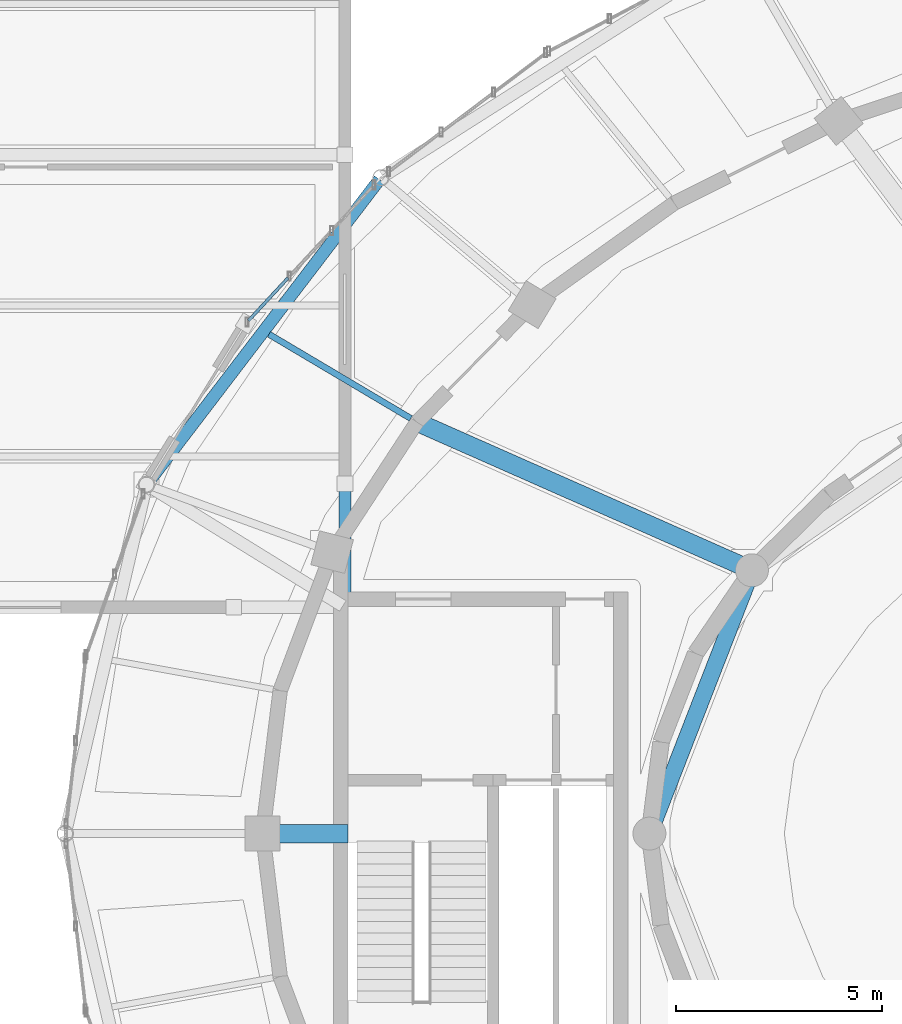
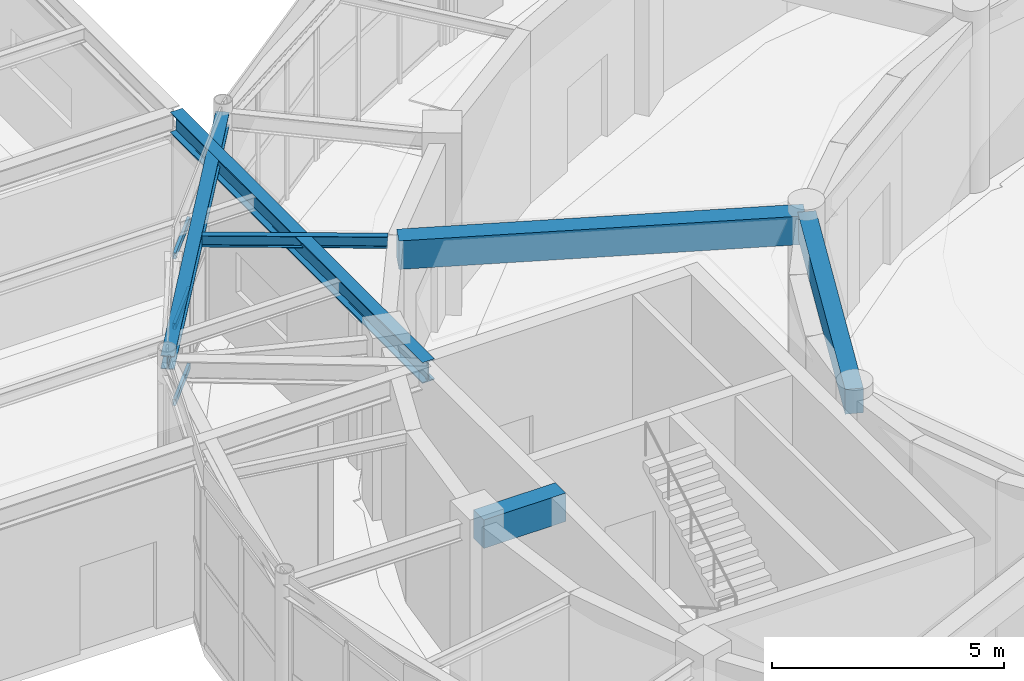
# One storey, part 34 of 108: 6 beams, 3 members, 1 element without a shape of its own.
"""IFC4 building model written with IfcOpenShell, lengths in metres."""

from ifc_helpers import new_model, si_unit, direction, frame, origin, origin_2d, place, context, subcontext, project, spatial, rectangle, hollow_rectangle, i_section, extrude, material, material_profile, profile_set, type_object, element, aggregate, save


model = new_model("IFC4")

# Units and contexts
model_context = context("Model", 3, precision=1e-05, world=origin(), true_north=direction((0.0, 1.0)))
body_context = subcontext(model_context, "Body", "Model", "MODEL_VIEW")
ifc_project = project(units=[si_unit("LENGTHUNIT", "METRE"), si_unit("AREAUNIT", "SQUARE_METRE"), si_unit("VOLUMEUNIT", "CUBIC_METRE"), si_unit("PLANEANGLEUNIT", "RADIAN"), si_unit("MASSUNIT", "GRAM", prefix="KILO")], contexts=[model_context])

# Site, building, storey
site_placement = place(None, origin())
site = spatial("IfcSite", under=ifc_project, at=site_placement, CompositionType="ELEMENT")
building_placement = place(site_placement, origin())
building = spatial("IfcBuilding", under=site, at=building_placement, Name="Tarnveldt Headland Concert Hall", CompositionType="ELEMENT")
storey_placement = place(building_placement, origin())
storey = spatial("IfcBuildingStorey", under=building, at=storey_placement, Name="L00", CompositionType="ELEMENT", Elevation=0.0)

# Beams
ifc_material_1 = material(Name="Concrete C40/50", Category="concrete")
ifc_material_profile_1 = material_profile(ifc_material_1, rectangle(XDim=0.39990234375, YDim=0.64990234375, at=origin_2d()), Name="RC 400x650", Category="concrete")
ifc_profile_set_1 = profile_set([ifc_material_profile_1], Name="Concrete C40/50")
beam_type_1 = type_object("IfcBeamType", Name="CB-400x650", PredefinedType="BEAM", material=ifc_profile_set_1)
beam_1_placement = place(storey_placement, frame((67.3701171875, 60.843994140625, 4.195068359375), z_axis=(-0.362816377746, -0.931860652694, 0.0), x_axis=(0.931860652694, -0.362816377746, 0.0)))
element("IfcBeam", 1, at=beam_1_placement, inside=storey, type_object=beam_type_1, Name="Framing beam L00-411", PredefinedType="BEAM", context=body_context, shape_type="SweptSolid", body=[
    extrude(rectangle(XDim=0.39990234375, YDim=0.64990234375, at=origin_2d()), origin(), (0.0, 0.0, 1.0), 6.747802734375),
])
ifc_material_profile_2 = material_profile(ifc_material_1, rectangle(XDim=0.449951171875, YDim=0.75, at=origin_2d()), Name="RC 450x750", Category="concrete")
ifc_profile_set_2 = profile_set([ifc_material_profile_2], Name="Concrete C40/50")
beam_type_2 = type_object("IfcBeamType", Name="CB-450x750", PredefinedType="BEAM", material=ifc_profile_set_2)
beam_2_placement = place(storey_placement, frame((67.355224609375, 60.916259765625, 4.14501953125), z_axis=(-0.91456211397, 0.404445471839, 0.0), x_axis=(-0.404445471839, -0.91456211397, 0.0)))
element("IfcBeam", 2, at=beam_2_placement, inside=storey, type_object=beam_type_2, Name="Framing beam L00-410", PredefinedType="BEAM", context=body_context, shape_type="SweptSolid", body=[
    extrude(rectangle(XDim=0.449951171875, YDim=0.75, at=origin_2d()), origin(), (0.0, 0.0, 1.0), 8.821044921875),
])
beam_3_placement = place(storey_placement, frame((57.580078125, 54.5, 4.14501953125), z_axis=(-1.0, 0.0, 0.0), x_axis=(0.0, -1.0, 0.0)))
element("IfcBeam", 3, at=beam_3_placement, inside=storey, type_object=beam_type_2, Name="Framing beam L00-412", PredefinedType="BEAM", context=body_context, shape_type="SweptSolid", body=[
    extrude(rectangle(XDim=0.449951171875, YDim=0.75, at=origin_2d()), origin(), (0.0, 0.0, 1.0), 2.0400390625),
])
ifc_material_2 = material(Name="Steel S355", Category="steel")
ifc_material_profile_3 = material_profile(ifc_material_2, i_section(OverallWidth=0.300048828125, OverallDepth=0.35009765625, WebThickness=0.010009765625, FlangeThickness=0.017578125, FilletRadius=0.027099609375, at=origin_2d()), Name="HEA360", Category="steel")
ifc_profile_set_3 = profile_set([ifc_material_profile_3], Name="Steel S355")
beam_type_3 = type_object("IfcBeamType", Name="SB-HEA360", PredefinedType="SPANDREL", material=ifc_profile_set_3)
beam_4_placement = place(storey_placement, frame((58.33740234375, 70.393310546875, 4.344970703125), z_axis=(-0.606896353007, -0.794780986629, 0.0), x_axis=(0.794780986629, -0.606896353007, 0.0)))
element("IfcBeam", 4, at=beam_4_placement, inside=storey, type_object=beam_type_3, Name="Framing beam L00-368", PredefinedType="SPANDREL", context=body_context, shape_type="SweptSolid", body=[
    extrude(i_section(OverallWidth=0.300048828125, OverallDepth=0.35009765625, WebThickness=0.010009765625, FlangeThickness=0.017578125, FilletRadius=0.027099609375, at=origin_2d()), origin(), (0.0, 0.0, 1.0), 9.264892578125),
])
ifc_material_profile_4 = material_profile(ifc_material_2, i_section(OverallWidth=0.300048828125, OverallDepth=0.550048828125, WebThickness=0.014892578125, FlangeThickness=0.029052734375, FilletRadius=0.027099609375, at=origin_2d()), Name="HEB550", Category="steel")
ifc_profile_set_4 = profile_set([ifc_material_profile_4], Name="Steel S355")
beam_type_4 = type_object("IfcBeamType", Name="SB-HEB550", PredefinedType="BEAM", material=ifc_profile_set_4)
beam_5_placement = place(storey_placement, frame((57.5, 60.06005859375, 4.2451171875), z_axis=(0.0, 1.0, 0.0), x_axis=(-1.0, 0.0, 0.0)))
element("IfcBeam", 5, at=beam_5_placement, inside=storey, type_object=beam_type_4, Name="Framing beam L00-672", PredefinedType="BEAM", context=body_context, shape_type="SweptSolid", body=[
    extrude(i_section(OverallWidth=0.300048828125, OverallDepth=0.550048828125, WebThickness=0.014892578125, FlangeThickness=0.029052734375, FilletRadius=0.027099609375, at=origin_2d()), origin(), (0.0, 0.0, 1.0), 10.8798828125),
])
ifc_material_profile_5 = material_profile(ifc_material_2, i_section(OverallWidth=0.14990234375, OverallDepth=0.300048828125, WebThickness=0.007080078125, FlangeThickness=0.0107421875, FilletRadius=0.014892578125, at=origin_2d()), Name="IPE300", Category="steel")
ifc_profile_set_5 = profile_set([ifc_material_profile_5], Name="Steel S355")
beam_type_5 = type_object("IfcBeamType", Name="SB-IPE300", PredefinedType="JOIST", material=ifc_profile_set_5)
beam_6_placement = place(storey_placement, frame((59.100830078125, 64.58935546875, 4.3701171875), z_axis=(-0.859902377377, 0.510458520726, 0.0), x_axis=(-0.510458520726, -0.859902377377, 0.0)))
element("IfcBeam", 6, at=beam_6_placement, inside=storey, type_object=beam_type_5, Name="Framing beam L00-370", PredefinedType="JOIST", context=body_context, shape_type="SweptSolid", body=[
    extrude(i_section(OverallWidth=0.14990234375, OverallDepth=0.300048828125, WebThickness=0.007080078125, FlangeThickness=0.0107421875, FilletRadius=0.014892578125, at=origin_2d()), origin(), (0.0, 0.0, 1.0), 4.007568359375),
])

# Curtain wall, members
ifc_material_3 = material(Name="Marine-anodised aluminium EN AW-6063-T6", Category="aluminium")
curtain_wall_type = type_object("IfcCurtainWallType", Name="CW-F1", PredefinedType="NOTDEFINED", material=ifc_material_3)
curtain_wall_placement = place(storey_placement, origin())
curtain_wall = element("IfcCurtainWall", 7, at=curtain_wall_placement, inside=storey, type_object=curtain_wall_type, Name="Curtain wall CW-L00-012", PredefinedType="NOTDEFINED")
ifc_material_profile_6 = material_profile(ifc_material_3, hollow_rectangle(XDim=0.074951171875, YDim=0.159912109375, WallThickness=0.00390625, at=origin_2d()), Name="ALU TRANSOM 75x160x4", Category="aluminium")
ifc_profile_set_6 = profile_set([ifc_material_profile_6], Name="Marine-anodised aluminium EN AW-6063-T6")
member_type = type_object("IfcMemberType", Name="TR-160", PredefinedType="MEMBER", material=ifc_profile_set_6)
member_1_placement = place(storey_placement, frame((56.116943359375, 68.004150390625, 0.050048828125), z_axis=(-0.679418349957, -0.733751119755, 0.0), x_axis=(0.733751119755, -0.679418349957, 0.0)))
member_1 = element("IfcMember", 8, at=member_1_placement, type_object=member_type, Name="Transom CW-L00-012-3-1", PredefinedType="MEMBER", context=body_context, shape_type="SweptSolid", body=[
    extrude(hollow_rectangle(XDim=0.074951171875, YDim=0.159912109375, WallThickness=0.00390625, at=origin_2d()), origin(), (0.0, 0.0, 1.0), 1.41552734375),
])
member_2_placement = place(storey_placement, frame((56.116943359375, 68.004150390625, 2.05810546875), z_axis=(-0.679418349957, -0.733751119755, 0.0), x_axis=(0.733751119755, -0.679418349957, 0.0)))
member_2 = element("IfcMember", 9, at=member_2_placement, type_object=member_type, Name="Transom CW-L00-012-3-2", PredefinedType="MEMBER", context=body_context, shape_type="SweptSolid", body=[
    extrude(hollow_rectangle(XDim=0.074951171875, YDim=0.159912109375, WallThickness=0.00390625, at=origin_2d()), origin(), (0.0, 0.0, 1.0), 1.41552734375),
])
member_3_placement = place(storey_placement, frame((56.116943359375, 68.004150390625, 3.907958984375), z_axis=(-0.679418349957, -0.733751119755, 0.0), x_axis=(0.733751119755, -0.679418349957, 0.0)))
member_3 = element("IfcMember", 10, at=member_3_placement, type_object=member_type, Name="Transom CW-L00-012-3-3", PredefinedType="MEMBER", context=body_context, shape_type="SweptSolid", body=[
    extrude(hollow_rectangle(XDim=0.074951171875, YDim=0.159912109375, WallThickness=0.00390625, at=origin_2d()), origin(), (0.0, 0.0, 1.0), 1.41552734375),
])
aggregate(curtain_wall, [member_1, member_2, member_3])

save(model, "model.ifc")
